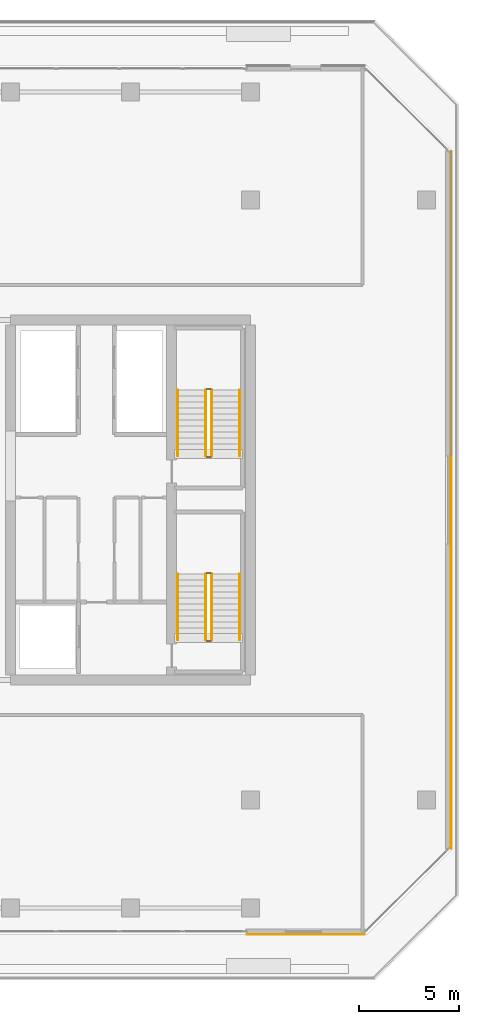
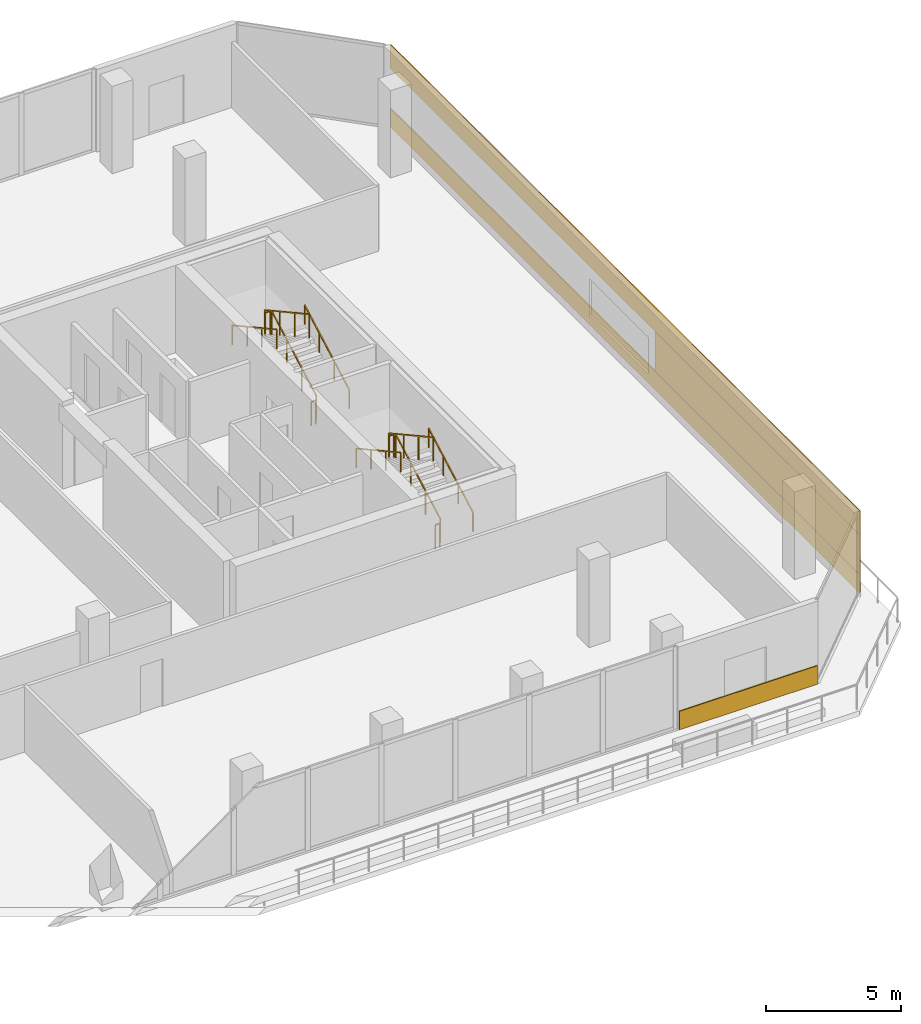
# One storey, part 29 of 30: 12 railings, 4 coverings.
"""IFC4 building model written with IfcOpenShell, lengths in metres."""

from ifc_helpers import new_model, si_unit, direction, frame, origin, origin_2d, place, context, subcontext, project, spatial, rectangle, extrude, material, layer, layer_set, type_object, element, save


model = new_model("IFC4")

# Units and contexts
model_context = context("Model", 3, precision=1e-05, world=origin(), true_north=direction((0.0, 1.0)))
body_context = subcontext(model_context, "Body", "Model", "MODEL_VIEW")
ifc_project = project(units=[si_unit("LENGTHUNIT", "METRE"), si_unit("AREAUNIT", "SQUARE_METRE"), si_unit("VOLUMEUNIT", "CUBIC_METRE"), si_unit("PLANEANGLEUNIT", "RADIAN"), si_unit("MASSUNIT", "GRAM", prefix="KILO")], contexts=[model_context])

# Site, building, storey
site_placement = place(None, origin())
site = spatial("IfcSite", under=ifc_project, at=site_placement, CompositionType="ELEMENT")
building_placement = place(site_placement, origin())
building = spatial("IfcBuilding", under=site, at=building_placement, Name="Tanjung Sevakor Pilgrim Tower", CompositionType="ELEMENT")
storey_placement = place(building_placement, frame((0.0, 0.0, 128.0400390625)))
storey = spatial("IfcBuildingStorey", under=building, at=storey_placement, Name="L35", CompositionType="ELEMENT", Elevation=128.0400390625)

# Coverings
ifc_material_1 = material(Name="Reconstructed Limestone Cladding", Category="masonry")
ifc_layer = layer(ifc_material_1, 0.044921875)
ifc_layer_set = layer_set([ifc_layer], Name="COV-CLAD-LIMESTONE")
covering_type = type_object("IfcCoveringType", Name="COV-CLAD-LIMESTONE", PredefinedType="CLADDING", material=ifc_layer_set)
covering_1_placement = place(storey_placement, frame((92.748291015625, 11.87744140625, 0.009765625), z_axis=(0.0, 0.0, 1.0), x_axis=(1.0, 0.0, 0.0)))
element("IfcCovering", 1, at=covering_1_placement, inside=storey, type_object=covering_type, Name="L35 Warm Limestone Sill Spandrel EW-SKY-L35-S2-1", PredefinedType="CLADDING", context=body_context, shape_type="SweptSolid", body=[
    extrude(rectangle(XDim=5.919921875, YDim=0.044921875, at=origin_2d()), origin(), (0.0, 0.0, 1.0), 0.840087890625),
])
covering_2_placement = place(storey_placement, frame((100.0224609375, 33.60009765625, 0.009765625), z_axis=(0.0, 0.0, 1.0), x_axis=(0.0, 1.0, 0.0)))
element("IfcCovering", 2, at=covering_2_placement, inside=storey, type_object=covering_type, Name="L35 Warm Limestone Sill Spandrel EW-L35-MAIN-7-1", PredefinedType="CLADDING", context=body_context, shape_type="SweptSolid", body=[
    extrude(rectangle(XDim=34.81640625, YDim=0.044921875, at=origin_2d()), origin(), (0.0, 0.0, 1.0), 0.840087890625),
])
covering_3_placement = place(storey_placement, frame((100.0224609375, 33.60009765625, 2.66015625), z_axis=(0.0, 0.0, 1.0), x_axis=(0.0, 1.0, 0.0)))
element("IfcCovering", 3, at=covering_3_placement, inside=storey, type_object=covering_type, Name="L35 Warm Limestone Cornice Spandrel EW-L35-MAIN-7", PredefinedType="CLADDING", context=body_context, shape_type="SweptSolid", body=[
    extrude(rectangle(XDim=34.8564453125, YDim=0.044921875, at=origin_2d()), origin(), (0.0, 0.0, 1.0), 1.070068359375),
])
covering_4_placement = place(storey_placement, frame((100.0224609375, 23.77099609375, 0.849853515625), z_axis=(0.0, 0.0, 1.0), x_axis=(0.0, 1.0, 0.0)))
element("IfcCovering", 4, at=covering_4_placement, inside=storey, type_object=covering_type, Name="L35 Warm Limestone Pier Panel EW-L35-MAIN-7-1", PredefinedType="CLADDING", context=body_context, shape_type="SweptSolid", body=[
    extrude(rectangle(XDim=15.158203125, YDim=0.044921875, at=origin_2d()), origin(), (0.0, 0.0, 1.0), 1.81005859375),
])

# Railings
ifc_material_2 = material(Name="Steel S355J2", Category="steel")
railing_type_1 = type_object("IfcRailingType", Name="RL-STAIR-GUARD", PredefinedType="GUARDRAIL", material=ifc_material_2)
railing_1_placement = place(storey_placement, frame((88.050048828125, 26.60009765625, 0.1650390625)))
element("IfcRailing", 5, at=railing_1_placement, inside=storey, type_object=railing_type_1, Name="L35 TS-E1 stair guard 1", PredefinedType="GUARDRAIL", context=body_context, shape_type="SweptSolid", body=[
    extrude(rectangle(XDim=0.0479, YDim=0.0479), frame((0.0, 0.0, 1.076171875), z_axis=(0.0, 0.876210433733, 0.481928704082), x_axis=(-1.0, 0.0, 0.0)), (0.0, 0.0, 1.0), 3.76611328125),
    extrude(rectangle(XDim=0.042, YDim=0.042), origin(), (0.0, 0.0, 1.0), 1.052001953125),
    extrude(rectangle(XDim=0.042, YDim=0.042), frame((0.0, 1.099853515625, 0.60498046875)), (0.0, 0.0, 1.0), 1.052001953125),
    extrude(rectangle(XDim=0.042, YDim=0.042), frame((0.0, 2.199951171875, 1.2099609375)), (0.0, 0.0, 1.0), 1.052001953125),
    extrude(rectangle(XDim=0.042, YDim=0.042), frame((0.0, 3.2998046875, 1.81494140625)), (0.0, 0.0, 1.0), 1.052001953125),
])
railing_2_placement = place(storey_placement, frame((88.0, 29.949951171875, 1.97998046875)))
element("IfcRailing", 6, at=railing_2_placement, inside=storey, type_object=railing_type_1, Name="L35 TS-E1 stair guard 2", PredefinedType="GUARDRAIL", context=body_context, shape_type="SweptSolid", body=[
    extrude(rectangle(XDim=0.0479, YDim=0.0479), frame((0.0, 0.0, 1.076171875), z_axis=(-1.0, 0.0, 0.0), x_axis=(0.0, -1.0, 0.0)), (0.0, 0.0, 1.0), 0.199951171875),
    extrude(rectangle(XDim=0.042, YDim=0.042), origin(), (0.0, 0.0, 1.0), 1.052001953125),
    extrude(rectangle(XDim=0.042, YDim=0.042), frame((-0.199951171875, 0.0, 0.0)), (0.0, 0.0, 1.0), 1.052001953125),
])
railing_3_placement = place(storey_placement, frame((87.75, 29.89990234375, 2.14501953125)))
element("IfcRailing", 7, at=railing_3_placement, inside=storey, type_object=railing_type_1, Name="L35 TS-E1 stair guard 3", PredefinedType="GUARDRAIL", context=body_context, shape_type="SweptSolid", body=[
    extrude(rectangle(XDim=0.0479, YDim=0.0479), frame((0.0, 0.0, 1.076171875), z_axis=(0.0, -0.876210433733, 0.481928704082), x_axis=(1.0, 0.0, 0.0)), (0.0, 0.0, 1.0), 3.76611328125),
    extrude(rectangle(XDim=0.042, YDim=0.042), origin(), (0.0, 0.0, 1.0), 1.052001953125),
    extrude(rectangle(XDim=0.042, YDim=0.042), frame((0.0, -1.099853515625, 0.60498046875)), (0.0, 0.0, 1.0), 1.052001953125),
    extrude(rectangle(XDim=0.042, YDim=0.042), frame((0.0, -2.199951171875, 1.2099609375)), (0.0, 0.0, 1.0), 1.052001953125),
    extrude(rectangle(XDim=0.042, YDim=0.042), frame((0.0, -3.2998046875, 1.81494140625)), (0.0, 0.0, 1.0), 1.052001953125),
])
railing_4_placement = place(storey_placement, frame((88.0, 26.550048828125, 0.0)))
element("IfcRailing", 8, at=railing_4_placement, inside=storey, type_object=railing_type_1, Name="L35 TS-E1 stair guard 4", PredefinedType="GUARDRAIL", context=body_context, shape_type="SweptSolid", body=[
    extrude(rectangle(XDim=0.0479, YDim=0.0479), frame((0.0, 0.0, 1.076171875), z_axis=(-1.0, 0.0, 0.0), x_axis=(0.0, -1.0, 0.0)), (0.0, 0.0, 1.0), 0.199951171875),
    extrude(rectangle(XDim=0.042, YDim=0.042), origin(), (0.0, 0.0, 1.0), 1.052001953125),
    extrude(rectangle(XDim=0.042, YDim=0.042), frame((-0.199951171875, 0.0, 0.0)), (0.0, 0.0, 1.0), 1.052001953125),
])
railing_5_placement = place(storey_placement, frame((88.050048828125, 35.800048828125, 0.1650390625)))
element("IfcRailing", 9, at=railing_5_placement, inside=storey, type_object=railing_type_1, Name="L35 TS-E2 stair guard 1", PredefinedType="GUARDRAIL", context=body_context, shape_type="SweptSolid", body=[
    extrude(rectangle(XDim=0.0479, YDim=0.0479), frame((0.0, 0.0, 1.076171875), z_axis=(0.0, 0.876225489012, 0.48190133057), x_axis=(-1.0, 0.0, 0.0)), (0.0, 0.0, 1.0), 3.76611328125),
    extrude(rectangle(XDim=0.042, YDim=0.042), origin(), (0.0, 0.0, 1.0), 1.052001953125),
    extrude(rectangle(XDim=0.042, YDim=0.042), frame((0.0, 1.10009765625, 0.60498046875)), (0.0, 0.0, 1.0), 1.052001953125),
    extrude(rectangle(XDim=0.042, YDim=0.042), frame((0.0, 2.199951171875, 1.2099609375)), (0.0, 0.0, 1.0), 1.052001953125),
    extrude(rectangle(XDim=0.042, YDim=0.042), frame((0.0, 3.300048828125, 1.81494140625)), (0.0, 0.0, 1.0), 1.052001953125),
])
railing_6_placement = place(storey_placement, frame((88.0, 39.14990234375, 1.97998046875)))
element("IfcRailing", 10, at=railing_6_placement, inside=storey, type_object=railing_type_1, Name="L35 TS-E2 stair guard 2", PredefinedType="GUARDRAIL", context=body_context, shape_type="SweptSolid", body=[
    extrude(rectangle(XDim=0.0479, YDim=0.0479), frame((0.0, 0.0, 1.076171875), z_axis=(-1.0, 0.0, 0.0), x_axis=(0.0, -1.0, 0.0)), (0.0, 0.0, 1.0), 0.199951171875),
    extrude(rectangle(XDim=0.042, YDim=0.042), origin(), (0.0, 0.0, 1.0), 1.052001953125),
    extrude(rectangle(XDim=0.042, YDim=0.042), frame((-0.199951171875, 0.0, 0.0)), (0.0, 0.0, 1.0), 1.052001953125),
])
railing_7_placement = place(storey_placement, frame((87.75, 39.10009765625, 2.14501953125)))
element("IfcRailing", 11, at=railing_7_placement, inside=storey, type_object=railing_type_1, Name="L35 TS-E2 stair guard 3", PredefinedType="GUARDRAIL", context=body_context, shape_type="SweptSolid", body=[
    extrude(rectangle(XDim=0.0479, YDim=0.0479), frame((0.0, 0.0, 1.076171875), z_axis=(0.0, -0.876225489012, 0.48190133057), x_axis=(1.0, 0.0, 0.0)), (0.0, 0.0, 1.0), 3.76611328125),
    extrude(rectangle(XDim=0.042, YDim=0.042), origin(), (0.0, 0.0, 1.0), 1.052001953125),
    extrude(rectangle(XDim=0.042, YDim=0.042), frame((0.0, -1.10009765625, 0.60498046875)), (0.0, 0.0, 1.0), 1.052001953125),
    extrude(rectangle(XDim=0.042, YDim=0.042), frame((0.0, -2.199951171875, 1.2099609375)), (0.0, 0.0, 1.0), 1.052001953125),
    extrude(rectangle(XDim=0.042, YDim=0.042), frame((0.0, -3.300048828125, 1.81494140625)), (0.0, 0.0, 1.0), 1.052001953125),
])
railing_8_placement = place(storey_placement, frame((88.0, 35.75, 0.0)))
element("IfcRailing", 12, at=railing_8_placement, inside=storey, type_object=railing_type_1, Name="L35 TS-E2 stair guard 4", PredefinedType="GUARDRAIL", context=body_context, shape_type="SweptSolid", body=[
    extrude(rectangle(XDim=0.0479, YDim=0.0479), frame((0.0, 0.0, 1.076171875), z_axis=(-1.0, 0.0, 0.0), x_axis=(0.0, -1.0, 0.0)), (0.0, 0.0, 1.0), 0.199951171875),
    extrude(rectangle(XDim=0.042, YDim=0.042), origin(), (0.0, 0.0, 1.0), 1.052001953125),
    extrude(rectangle(XDim=0.042, YDim=0.042), frame((-0.199951171875, 0.0, 0.0)), (0.0, 0.0, 1.0), 1.052001953125),
])
ifc_material_3 = material(Name="Steel S355J2", Category="steel")
railing_type_2 = type_object("IfcRailingType", Name="RL-STAIR-HAND", PredefinedType="HANDRAIL", material=ifc_material_3)
railing_9_placement = place(storey_placement, frame((89.449951171875, 26.60009765625, 0.1650390625)))
element("IfcRailing", 13, at=railing_9_placement, inside=storey, type_object=railing_type_2, Name="L35 TS-E1 stair handrail 1", PredefinedType="HANDRAIL", context=body_context, shape_type="SweptSolid", body=[
    extrude(rectangle(XDim=0.0479, YDim=0.0479), frame((0.0, 0.0, 0.8759765625), z_axis=(0.0, 0.876210433733, 0.481928704082), x_axis=(-1.0, 0.0, 0.0)), (0.0, 0.0, 1.0), 3.76611328125),
    extrude(rectangle(XDim=0.042, YDim=0.042), origin(), (0.0, 0.0, 1.0), 0.851806640625),
    extrude(rectangle(XDim=0.042, YDim=0.042), frame((0.0, 1.099853515625, 0.60498046875)), (0.0, 0.0, 1.0), 0.851806640625),
    extrude(rectangle(XDim=0.042, YDim=0.042), frame((0.0, 2.199951171875, 1.2099609375)), (0.0, 0.0, 1.0), 0.851806640625),
    extrude(rectangle(XDim=0.042, YDim=0.042), frame((0.0, 3.2998046875, 1.81494140625)), (0.0, 0.0, 1.0), 0.851806640625),
])
railing_10_placement = place(storey_placement, frame((86.35009765625, 29.89990234375, 2.14501953125)))
element("IfcRailing", 14, at=railing_10_placement, inside=storey, type_object=railing_type_2, Name="L35 TS-E1 stair handrail 2", PredefinedType="HANDRAIL", context=body_context, shape_type="SweptSolid", body=[
    extrude(rectangle(XDim=0.0479, YDim=0.0479), frame((0.0, 0.0, 0.8759765625), z_axis=(0.0, -0.876210433733, 0.481928704082), x_axis=(1.0, 0.0, 0.0)), (0.0, 0.0, 1.0), 3.76611328125),
    extrude(rectangle(XDim=0.042, YDim=0.042), origin(), (0.0, 0.0, 1.0), 0.851806640625),
    extrude(rectangle(XDim=0.042, YDim=0.042), frame((0.0, -1.099853515625, 0.60498046875)), (0.0, 0.0, 1.0), 0.851806640625),
    extrude(rectangle(XDim=0.042, YDim=0.042), frame((0.0, -2.199951171875, 1.2099609375)), (0.0, 0.0, 1.0), 0.851806640625),
    extrude(rectangle(XDim=0.042, YDim=0.042), frame((0.0, -3.2998046875, 1.81494140625)), (0.0, 0.0, 1.0), 0.851806640625),
])
railing_11_placement = place(storey_placement, frame((89.449951171875, 35.800048828125, 0.1650390625)))
element("IfcRailing", 15, at=railing_11_placement, inside=storey, type_object=railing_type_2, Name="L35 TS-E2 stair handrail 1", PredefinedType="HANDRAIL", context=body_context, shape_type="SweptSolid", body=[
    extrude(rectangle(XDim=0.0479, YDim=0.0479), frame((0.0, 0.0, 0.8759765625), z_axis=(0.0, 0.876225489012, 0.48190133057), x_axis=(-1.0, 0.0, 0.0)), (0.0, 0.0, 1.0), 3.76611328125),
    extrude(rectangle(XDim=0.042, YDim=0.042), origin(), (0.0, 0.0, 1.0), 0.851806640625),
    extrude(rectangle(XDim=0.042, YDim=0.042), frame((0.0, 1.10009765625, 0.60498046875)), (0.0, 0.0, 1.0), 0.851806640625),
    extrude(rectangle(XDim=0.042, YDim=0.042), frame((0.0, 2.199951171875, 1.2099609375)), (0.0, 0.0, 1.0), 0.851806640625),
    extrude(rectangle(XDim=0.042, YDim=0.042), frame((0.0, 3.300048828125, 1.81494140625)), (0.0, 0.0, 1.0), 0.851806640625),
])
railing_12_placement = place(storey_placement, frame((86.35009765625, 39.10009765625, 2.14501953125)))
element("IfcRailing", 16, at=railing_12_placement, inside=storey, type_object=railing_type_2, Name="L35 TS-E2 stair handrail 2", PredefinedType="HANDRAIL", context=body_context, shape_type="SweptSolid", body=[
    extrude(rectangle(XDim=0.0479, YDim=0.0479), frame((0.0, 0.0, 0.8759765625), z_axis=(0.0, -0.876225489012, 0.48190133057), x_axis=(1.0, 0.0, 0.0)), (0.0, 0.0, 1.0), 3.76611328125),
    extrude(rectangle(XDim=0.042, YDim=0.042), origin(), (0.0, 0.0, 1.0), 0.851806640625),
    extrude(rectangle(XDim=0.042, YDim=0.042), frame((0.0, -1.10009765625, 0.60498046875)), (0.0, 0.0, 1.0), 0.851806640625),
    extrude(rectangle(XDim=0.042, YDim=0.042), frame((0.0, -2.199951171875, 1.2099609375)), (0.0, 0.0, 1.0), 0.851806640625),
    extrude(rectangle(XDim=0.042, YDim=0.042), frame((0.0, -3.300048828125, 1.81494140625)), (0.0, 0.0, 1.0), 0.851806640625),
])

save(model, "model.ifc")
